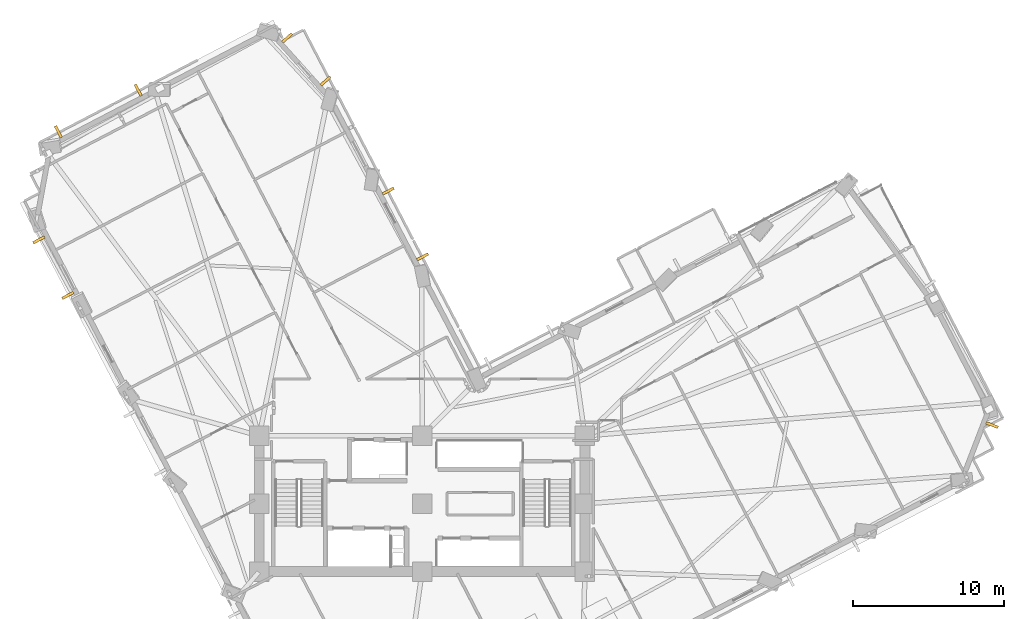
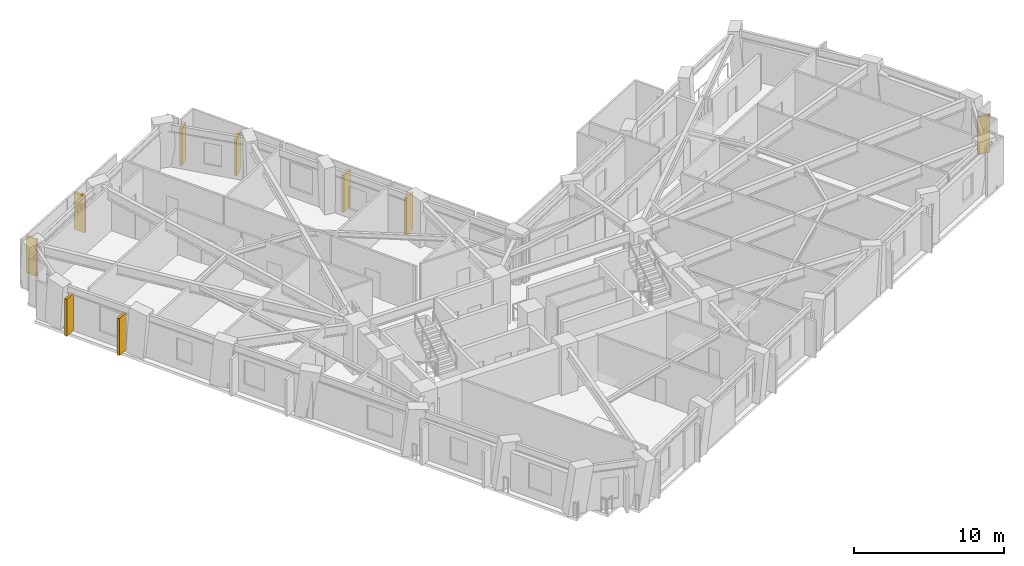
# One storey, part 15 of 16: 9 shading devices.
"""IFC4 building model written with IfcOpenShell, lengths in metres."""

import ifcopenshell
import ifcopenshell.guid

model = None  # the IFC model being written
_history = None  # IfcOwnerHistory: only IFC2X3 demands one
_inside = {}  # id of a spatial element -> (the spatial element, [elements in it])
_under = {}  # id of a project, library or spatial element -> (it, [spatial elements below it])
_declared = {}  # id of a project -> (the project, [libraries it declares])
_typed = {}  # id of a type object -> (the type object, [elements of that type])
_made_of = {}  # id of a material, layer set ... -> (it, [elements and type objects made of it])


def new_model(schema):
    """Start an empty IFC model of exactly this schema.

    Asked for "IFC4X3", IfcOpenShell would pick the latest addendum, in which some entities
    have other attributes; the version numbers below select the first issue.
    IFC2X3 requires an IfcOwnerHistory on every rooted entity: one is made here for all.
    """
    global model, _history
    if schema == "IFC4X3":
        model = ifcopenshell.file(schema_version=(4, 3, 0, 0))
    else:
        model = ifcopenshell.file(schema=schema)
    _inside.clear()
    _under.clear()
    _declared.clear()
    _typed.clear()
    _made_of.clear()
    _history = None
    if model.schema == "IFC2X3":
        org = make("IfcOrganization", Name="unknown")
        user = make(
            "IfcPersonAndOrganization",
            ThePerson=make("IfcPerson", FamilyName="unknown"),
            TheOrganization=org,
        )
        app = make(
            "IfcApplication",
            ApplicationDeveloper=org,
            Version="unknown",
            ApplicationFullName="unknown",
            ApplicationIdentifier="unknown",
        )
        _history = make(
            "IfcOwnerHistory",
            OwningUser=user,
            OwningApplication=app,
            ChangeAction="ADDED",
            CreationDate=0,
        )
    return model


def make(cls, **values):
    """One entity of the class cls with the attributes given. An attribute that is None is left unset."""
    return model.create_entity(
        cls, **{name: value for name, value in values.items() if value is not None}
    )


def rooted(cls, **values):
    """An entity with a GlobalId (a new one), such as an element, a storey or a relation."""
    return make(cls, GlobalId=ifcopenshell.guid.new(), OwnerHistory=_history, **values)


def si_unit(unit_type, name, prefix=None):
    """IfcSIUnit, for example si_unit("LENGTHUNIT", "METRE", prefix="MILLI")."""
    return make("IfcSIUnit", UnitType=unit_type, Prefix=prefix, Name=name)


def assignment(units):
    """IfcUnitAssignment: the units of a project."""
    return None if units is None else make("IfcUnitAssignment", Units=units)


def point(xyz):
    """IfcCartesianPoint."""
    return None if xyz is None else make("IfcCartesianPoint", Coordinates=xyz)


def direction(xyz):
    """IfcDirection."""
    return None if xyz is None else make("IfcDirection", DirectionRatios=xyz)


def frame(location, z_axis=None, x_axis=None):
    """IfcAxis2Placement3D, a coordinate frame: its origin and axes. An axis left out is left unset."""
    return make(
        "IfcAxis2Placement3D",
        Location=point(location),
        Axis=direction(z_axis),
        RefDirection=direction(x_axis),
    )


def frame_2d(location, x_axis=None):
    """IfcAxis2Placement2D, a coordinate frame in the plane: its origin and x axis."""
    return make(
        "IfcAxis2Placement2D", Location=point(location), RefDirection=direction(x_axis)
    )


def origin():
    """The frame at (0, 0, 0) with its axes left unset."""
    return frame((0.0, 0.0, 0.0))


def origin_2d():
    """The frame at (0, 0) in the plane with its x axis left unset."""
    return frame_2d((0.0, 0.0))


def place(relative_to, where):
    """IfcLocalPlacement: puts the frame where relative to a parent placement (None: the world)."""
    return make(
        "IfcLocalPlacement", PlacementRelTo=relative_to, RelativePlacement=where
    )


def context(
    kind, dimensions, precision=None, world=None, true_north=None, identifier=None
):
    """IfcGeometricRepresentationContext, for example the 3D "Model" context."""
    return make(
        "IfcGeometricRepresentationContext",
        ContextIdentifier=identifier,
        ContextType=kind,
        CoordinateSpaceDimension=dimensions,
        Precision=precision,
        WorldCoordinateSystem=world,
        TrueNorth=true_north,
    )


def subcontext(parent, identifier, kind, view, scale=None):
    """IfcGeometricRepresentationSubContext, for example "Body" below "Model"."""
    return make(
        "IfcGeometricRepresentationSubContext",
        ContextIdentifier=identifier,
        ContextType=kind,
        ParentContext=parent,
        TargetScale=scale,
        TargetView=view,
    )


def project(units=None, contexts=None):
    """IfcProject with its units and contexts."""
    return rooted(
        "IfcProject",
        Name="project",
        RepresentationContexts=contexts,
        UnitsInContext=assignment(units),
    )


def spatial(cls, under=None, at=None, **own):
    """A site, building, storey or space (cls), placed at a placement, below another one or the project."""
    s = rooted(cls, ObjectPlacement=at, **own)
    if under is not None:
        _under.setdefault(under.id(), (under, []))[1].append(s)
    return s


def profile(cls, at=None, kind="AREA", **sizes):
    """A parametric profile (cls). Its sizes go by their IFC names, for example OverallWidth=200.0."""
    return make(cls, ProfileType=kind, Position=at, **sizes)


def rectangle(**sizes):
    """IfcRectangleProfileDef."""
    return profile("IfcRectangleProfileDef", **sizes)


def extrude(swept, where, along, depth):
    """IfcExtrudedAreaSolid: the profile swept, set in the frame where, extruded along a direction by depth."""
    return make(
        "IfcExtrudedAreaSolid",
        SweptArea=swept,
        Position=where,
        ExtrudedDirection=direction(along),
        Depth=depth,
    )


def shape(context_of_items, identifier, shape_type, items):
    """IfcShapeRepresentation: the items that make up one representation, for example the "Body"."""
    return make(
        "IfcShapeRepresentation",
        ContextOfItems=context_of_items,
        RepresentationIdentifier=identifier,
        RepresentationType=shape_type,
        Items=items,
    )


def material(Name=None, Category=None):
    """IfcMaterial."""
    return make("IfcMaterial", Name=Name, Category=Category)


def made_of(thing, what):
    """Note that an element or type object is made of a material, layer set ...; save() writes the relation."""
    if what is not None:
        _made_of.setdefault(what.id(), (what, []))[1].append(thing)
    return thing


def type_object(cls, material=None, **own):
    """A type object (cls), such as IfcWallType, which elements share."""
    return made_of(rooted(cls, **own), material)


def element(
    cls,
    number,
    at=None,
    inside=None,
    cuts=None,
    type_object=None,
    material=None,
    context=None,
    identifier="Body",
    shape_type=None,
    held_by="IfcProductDefinitionShape",
    body=None,
    shapes=None,
    **own,
):
    """One element of the class cls, such as IfcWall. Its Tag is "e" and its number.

    at: its placement. inside: the storey or other place that contains it. cuts: it is an
    opening in that element (IfcRelVoidsElement). A single representation is given by context,
    identifier, shape_type and body (its items); several are given by shapes. held_by: the class
    of the entity that holds the representations. save() writes the other relations.
    """
    e = rooted(cls, Tag="e%d" % number, ObjectPlacement=at, **own)
    if body is not None:
        shapes = [shape(context, identifier, shape_type, body)]
    if shapes is not None:
        e.Representation = make(held_by, Representations=shapes)
    if inside is not None:
        _inside.setdefault(inside.id(), (inside, []))[1].append(e)
    if cuts is not None:
        rooted(
            "IfcRelVoidsElement", RelatingBuildingElement=cuts, RelatedOpeningElement=e
        )
    if type_object is not None:
        _typed.setdefault(type_object.id(), (type_object, []))[1].append(e)
    return made_of(e, material)


def aggregate(whole, parts):
    """IfcRelAggregates: a whole, such as a stair, and the parts it consists of."""
    return rooted("IfcRelAggregates", RelatingObject=whole, RelatedObjects=parts)


def save(model, path):
    """Write the relations noted so far, then the file.

    IfcRelAggregates (storeys below a building ...), IfcRelContainedInSpatialStructure (elements
    in a storey), IfcRelDefinesByType, IfcRelAssociatesMaterial and IfcRelDeclares: one each for
    every whole, place, type object, material and project.
    """
    for whole, parts in _under.values():
        aggregate(whole, parts)
    for where, things in _inside.values():
        rooted(
            "IfcRelContainedInSpatialStructure",
            RelatedElements=things,
            RelatingStructure=where,
        )
    for kind, things in _typed.values():
        rooted("IfcRelDefinesByType", RelatedObjects=things, RelatingType=kind)
    for what, things in _made_of.values():
        rooted("IfcRelAssociatesMaterial", RelatedObjects=things, RelatingMaterial=what)
    for by, libraries in _declared.values():
        rooted("IfcRelDeclares", RelatingContext=by, RelatedDefinitions=libraries)
    model.write(path)


model = new_model("IFC4")

# Units and contexts
model_context = context("Model", 3, precision=1e-05, world=origin(), true_north=direction((0.0, 1.0)))
body_context = subcontext(model_context, "Body", "Model", "MODEL_VIEW")
ifc_project = project(units=[si_unit("LENGTHUNIT", "METRE"), si_unit("AREAUNIT", "SQUARE_METRE"), si_unit("VOLUMEUNIT", "CUBIC_METRE"), si_unit("PLANEANGLEUNIT", "RADIAN"), si_unit("MASSUNIT", "GRAM", prefix="KILO")], contexts=[model_context])

# Site, building, storey
site_placement = place(None, origin())
site = spatial("IfcSite", under=ifc_project, at=site_placement, CompositionType="ELEMENT")
building_placement = place(site_placement, origin())
building = spatial("IfcBuilding", under=site, at=building_placement, Name="Gaonmaruhae Medical Tower", CompositionType="ELEMENT")
storey_placement = place(building_placement, frame((0.0, 0.0, 140.39990234375)))
storey = spatial("IfcBuildingStorey", under=building, at=storey_placement, Name="L33", CompositionType="ELEMENT", Elevation=140.39990234375)

# Shading devices
ifc_material = material(Name="Pigmented coral precast concrete C45/55", Category="concrete")
shading_device_type = type_object("IfcShadingDeviceType", Name="SD-FIN1 Tower Vertical Coral Precast Shading Fin", PredefinedType="USERDEFINED", material=ifc_material)
for number, where, z_axis, x_axis, name in (
    (1, (62.603759765625, 17.517578125, 0.04248046875), (0.0, 0.0, 1.0), (-0.358400537432, -0.933567916527, 0.0), "L33 Vertical Coral Precast Shading Fin S07"),
    (2, (22.552978515625, 33.035888671875, 0.04248046875), (0.0, 0.0, 1.0), (0.462522500293, -0.8866075438, 0.0), "L33 Vertical Coral Precast Shading Fin NE01"),
    (3, (24.830078125, 28.67138671875, 0.04248046875), (0.0, 0.0, 1.0), (0.462522500293, -0.8866075438, 0.0), "L33 Vertical Coral Precast Shading Fin NE01B"),
    (4, (15.852783203125, 43.19384765625, 0.04248046875), (0.0, 0.0, 1.0), (0.668235169003, -0.74395010512, 0.0), "L33 Vertical Coral Precast Shading Fin NE03"),
    (5, (18.4111328125, 40.345458984375, 0.04248046875), (0.0, 0.0, 1.0), (0.668235169003, -0.74395010512, 0.0), "L33 Vertical Coral Precast Shading Fin NE03B"),
    (6, (0.681640625, 36.969482421875, 0.04248046875), (0.0, 0.0, 1.0), (0.8866075438, 0.462522500293, 0.0), "L33 Vertical Coral Precast Shading Fin N02"),
    (7, (5.974853515625, 39.730712890625, 0.04248046875), (0.0, 0.0, 1.0), (0.8866075438, 0.462522500293, 0.0), "L33 Vertical Coral Precast Shading Fin N02B"),
    (8, (1.314208984375, 26.118408203125, 0.04248046875), (0.0, 0.0, 1.0), (-0.462522500293, 0.8866075438, 0.0), "L33 Vertical Coral Precast Shading Fin W01"),
    (9, (-0.60791015625, 29.802978515625, 0.04248046875), (0.0, 0.0, 1.0), (-0.462522500293, 0.8866075438, 0.0), "L33 Vertical Coral Precast Shading Fin W01B"),
):
    element("IfcShadingDevice", number, at=place(storey_placement, frame(where, z_axis=z_axis, x_axis=x_axis)), inside=storey, type_object=shading_device_type, Name=name, ObjectType="FIN", PredefinedType="USERDEFINED", context=body_context, shape_type="SweptSolid", body=[
        extrude(rectangle(XDim=0.179931640625, YDim=0.85009765625, at=origin_2d()), origin(), (0.0, 0.0, 1.0), 3.0),
    ])

save(model, "model.ifc")
